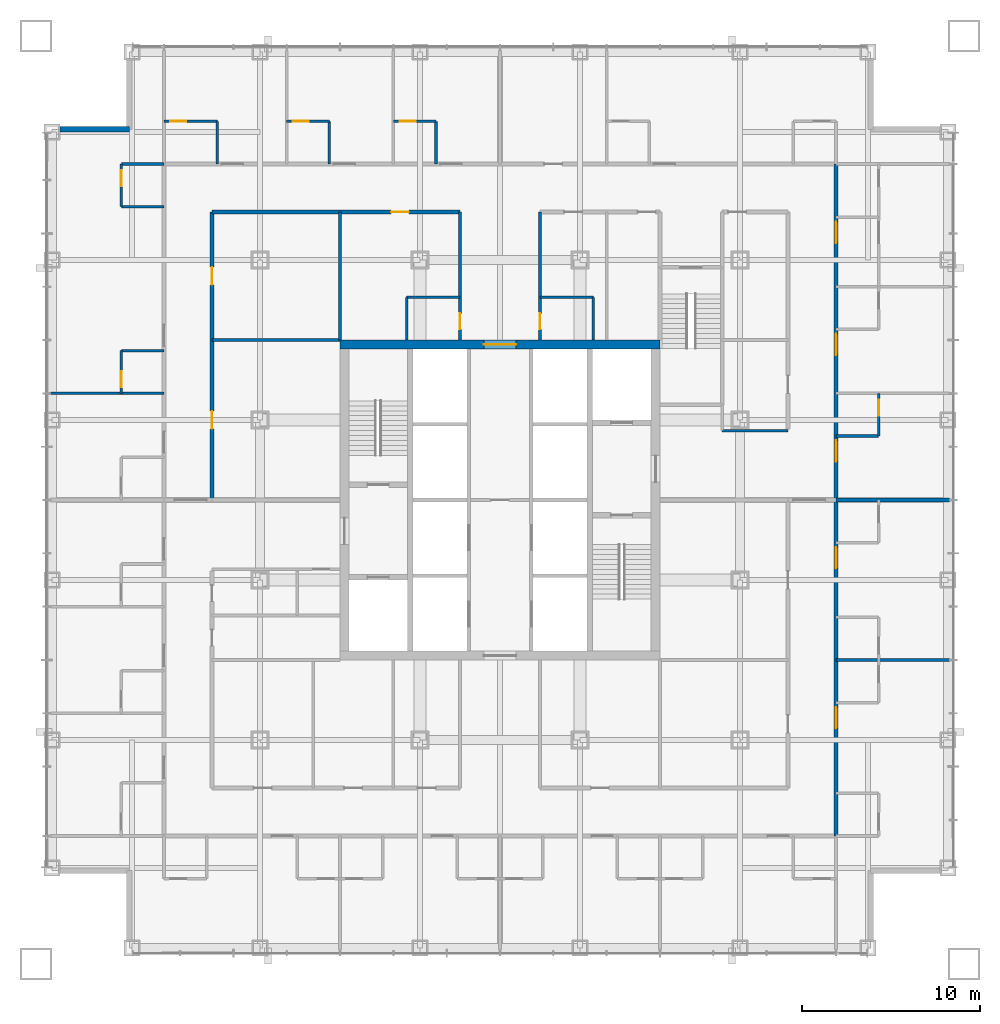
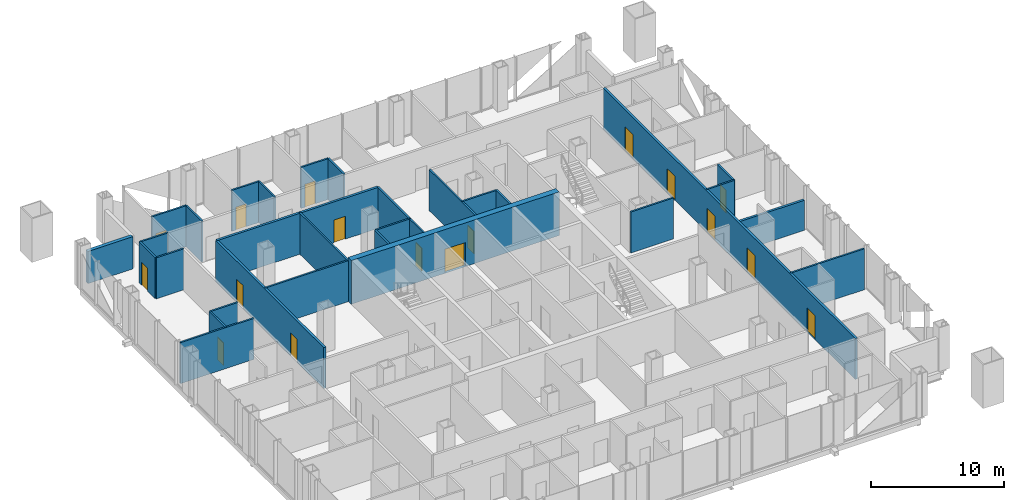
# One storey, part 10 of 17: 30 walls, 17 doors, 17 openings.
"""IFC4 building model written with IfcOpenShell, lengths in metres."""

from ifc_helpers import new_model, si_unit, direction, frame, frame_2d, origin, place, context, subcontext, project, spatial, rectangle, extrude, material, layer, layer_set, type_object, element, fill, save


model = new_model("IFC4")

# Units and contexts
model_context = context("Model", 3, precision=1e-05, world=origin(), true_north=direction((0.0, 1.0)))
body_context = subcontext(model_context, "Body", "Model", "MODEL_VIEW")
ifc_project = project(units=[si_unit("LENGTHUNIT", "METRE"), si_unit("AREAUNIT", "SQUARE_METRE"), si_unit("VOLUMEUNIT", "CUBIC_METRE"), si_unit("PLANEANGLEUNIT", "RADIAN"), si_unit("MASSUNIT", "GRAM", prefix="KILO")], contexts=[model_context])

# Site, building, storey
site_placement = place(None, origin())
site = spatial("IfcSite", under=ifc_project, at=site_placement, CompositionType="ELEMENT")
building_placement = place(site_placement, origin())
building = spatial("IfcBuilding", under=site, at=building_placement, Name="Malebo Sky Hospital", CompositionType="ELEMENT")
storey_placement = place(building_placement, frame((0.0, 0.0, 55.0)))
storey = spatial("IfcBuildingStorey", under=building, at=storey_placement, Name="L12", CompositionType="ELEMENT", Elevation=55.0)

# Wall, opening, door
ifc_material_1 = material(Name="Concrete C80/95", Category="concrete")
ifc_layer_1 = layer(ifc_material_1, 0.5)
ifc_layer_set_1 = layer_set([ifc_layer_1], Name="CORE WALL 500")
wall_type_1 = type_object("IfcWallType", Name="CORE WALL 500", PredefinedType="SHEAR", material=ifc_layer_set_1)
wall_1_placement = place(storey_placement, frame((51.0, 70.75, 0.0), z_axis=(0.0, 0.0, 1.0), x_axis=(1.0, 0.0, 0.0)))
wall_1 = element("IfcWall", 1, at=wall_1_placement, inside=storey, type_object=wall_type_1, Name="Core wall N L12", PredefinedType="SHEAR", context=body_context, shape_type="SweptSolid", body=[
    extrude(rectangle(XDim=18.0, YDim=0.5, at=frame_2d((9.0, 0.0))), origin(), (0.0, 0.0, 1.0), 4.0),
])
opening_1_placement = place(wall_1_placement, frame((8.10009765625, 0.0, 0.0)))
opening_1 = element("IfcOpeningElement", 2, at=opening_1_placement, cuts=wall_1, Name="Opening D06", PredefinedType="OPENING", context=body_context, shape_type="SweptSolid", body=[
    extrude(rectangle(XDim=1.800048828125, YDim=2.199951171875, at=frame_2d((0.89990234375, 1.10009765625))), frame((0.0, 0.260009765625, 0.0), z_axis=(0.0, -1.0, 0.0), x_axis=(1.0, 0.0, 0.0)), (0.0, 0.0, 1.0), 0.52001953125),
])
ifc_material_2 = material(Name="Hardwood-faced door leaf in steel frame", Category="steel")
door_type_1 = type_object("IfcDoorType", Name="LOBBY DOOR PAIR 1800", OperationType="DOUBLE_DOOR_SINGLE_SWING", PredefinedType="DOOR", material=ifc_material_2)
door_1_placement = place(opening_1_placement, origin())
door_1 = element("IfcDoor", 3, at=door_1_placement, inside=storey, type_object=door_type_1, Name="linen store door north", OperationType="DOUBLE_DOOR_SINGLE_SWING", OverallHeight=2.199951171875, OverallWidth=1.800048828125, PredefinedType="DOOR", context=body_context, shape_type="SweptSolid", body=[
    extrude(rectangle(XDim=1.800048828125, YDim=2.199951171875, at=frame_2d((0.89990234375, 1.10009765625))), frame((0.0, 0.02490234375, 0.0), z_axis=(0.0, -1.0, 0.0), x_axis=(1.0, 0.0, 0.0)), (0.0, 0.0, 1.0), 0.050048828125),
])
fill(opening_1, door_1)

ifc_material_3 = material(Name="Gypsum board on steel studs", Category="steel")
ifc_layer_2 = layer(ifc_material_3, 0.199951171875)
ifc_layer_set_2 = layer_set([ifc_layer_2], Name="CORRIDOR WALL 200")
wall_type_2 = type_object("IfcWallType", Name="CORRIDOR WALL 200", PredefinedType="PARTITIONING", material=ifc_layer_set_2)
wall_2_placement = place(storey_placement, frame((43.800048828125, 78.199951171875, 0.0), z_axis=(0.0, 0.0, 1.0), x_axis=(1.0, 0.0, 0.0)))
wall_2 = element("IfcWall", 4, at=wall_2_placement, inside=storey, type_object=wall_type_2, Name="Corridor Wall 200 NCI1", PredefinedType="PARTITIONING", context=body_context, shape_type="SweptSolid", body=[
    extrude(rectangle(XDim=13.949951171875, YDim=0.199951171875, at=frame_2d((6.97509765625, 0.0))), origin(), (0.0, 0.0, 1.0), 3.75),
])
opening_2_placement = place(wall_2_placement, frame((10.074951171875, 0.0, 0.0)))
opening_2 = element("IfcOpeningElement", 5, at=opening_2_placement, cuts=wall_2, Name="Opening D03", PredefinedType="OPENING", context=body_context, shape_type="SweptSolid", body=[
    extrude(rectangle(XDim=1.0, YDim=2.10009765625, at=frame_2d((0.5, 1.050048828125))), frame((0.0, 0.10986328125, 0.0), z_axis=(0.0, -1.0, 0.0), x_axis=(1.0, 0.0, 0.0)), (0.0, 0.0, 1.0), 0.219970703125),
])
door_type_2 = type_object("IfcDoorType", Name="ROOM DOOR 1000", OperationType="SINGLE_SWING_LEFT", PredefinedType="DOOR", material=ifc_material_2)
door_2_placement = place(opening_2_placement, origin())
door_2 = element("IfcDoor", 6, at=door_2_placement, inside=storey, type_object=door_type_2, Name="Consulting room door", OperationType="SINGLE_SWING_LEFT", OverallHeight=2.10009765625, OverallWidth=1.0, PredefinedType="DOOR", context=body_context, shape_type="SweptSolid", body=[
    extrude(rectangle(XDim=1.0, YDim=2.10009765625, at=frame_2d((0.5, 1.050048828125))), frame((0.0, 0.02490234375, 0.0), z_axis=(0.0, -1.0, 0.0), x_axis=(1.0, 0.0, 0.0)), (0.0, 0.0, 1.0), 0.050048828125),
])
fill(opening_2, door_2)

# Wall, openings, doors
wall_3_placement = place(storey_placement, frame((43.800048828125, 62.0, 0.0), z_axis=(0.0, 0.0, 1.0), x_axis=(0.0, 1.0, 0.0)))
wall_3 = element("IfcWall", 7, at=wall_3_placement, inside=storey, type_object=wall_type_2, Name="Corridor Wall 200 WCI2", PredefinedType="PARTITIONING", context=body_context, shape_type="SweptSolid", body=[
    extrude(rectangle(XDim=16.199951171875, YDim=0.199951171875, at=frame_2d((8.10009765625, 0.0))), origin(), (0.0, 0.0, 1.0), 3.75),
])
opening_3_placement = place(wall_3_placement, frame((4.0, 0.0, 0.0)))
opening_3 = element("IfcOpeningElement", 8, at=opening_3_placement, cuts=wall_3, Name="Opening D03", PredefinedType="OPENING", context=body_context, shape_type="SweptSolid", body=[
    extrude(rectangle(XDim=1.0, YDim=2.10009765625, at=frame_2d((0.5, 1.050048828125))), frame((0.0, 0.10986328125, 0.0), z_axis=(0.0, -1.0, 0.0), x_axis=(1.0, 0.0, 0.0)), (0.0, 0.0, 1.0), 0.219970703125),
])
opening_4_placement = place(wall_3_placement, frame((12.10009765625, 0.0, 0.0)))
opening_4 = element("IfcOpeningElement", 9, at=opening_4_placement, cuts=wall_3, Name="Opening D03", PredefinedType="OPENING", context=body_context, shape_type="SweptSolid", body=[
    extrude(rectangle(XDim=1.0, YDim=2.10009765625, at=frame_2d((0.5, 1.050048828125))), frame((0.0, 0.10986328125, 0.0), z_axis=(0.0, -1.0, 0.0), x_axis=(1.0, 0.0, 0.0)), (0.0, 0.0, 1.0), 0.219970703125),
])
door_3_placement = place(opening_3_placement, origin())
door_3 = element("IfcDoor", 10, at=door_3_placement, inside=storey, type_object=door_type_2, Name="Nurse station door", OperationType="SINGLE_SWING_LEFT", OverallHeight=2.10009765625, OverallWidth=1.0, PredefinedType="DOOR", context=body_context, shape_type="SweptSolid", body=[
    extrude(rectangle(XDim=1.0, YDim=2.10009765625, at=frame_2d((0.5, 1.050048828125))), frame((0.0, 0.02490234375, 0.0), z_axis=(0.0, -1.0, 0.0), x_axis=(1.0, 0.0, 0.0)), (0.0, 0.0, 1.0), 0.050048828125),
])
fill(opening_3, door_3)
door_4_placement = place(opening_4_placement, origin())
door_4 = element("IfcDoor", 11, at=door_4_placement, inside=storey, type_object=door_type_2, Name="Treatment room door", OperationType="SINGLE_SWING_RIGHT", OverallHeight=2.10009765625, OverallWidth=1.0, PredefinedType="DOOR", context=body_context, shape_type="SweptSolid", body=[
    extrude(rectangle(XDim=1.0, YDim=2.10009765625, at=frame_2d((0.5, 1.050048828125))), frame((0.0, 0.02490234375, 0.0), z_axis=(0.0, -1.0, 0.0), x_axis=(1.0, 0.0, 0.0)), (0.0, 0.0, 1.0), 0.050048828125),
])
fill(opening_4, door_4)

wall_4_placement = place(storey_placement, frame((78.89990234375, 80.89990234375, 0.0), z_axis=(0.0, 0.0, 1.0), x_axis=(0.0, -1.0, 0.0)))
wall_4 = element("IfcWall", 12, at=wall_4_placement, inside=storey, type_object=wall_type_2, Name="Corridor Wall 200 ECO", PredefinedType="PARTITIONING", context=body_context, shape_type="SweptSolid", body=[
    extrude(rectangle(XDim=37.7998046875, YDim=0.199951171875, at=frame_2d((18.89990234375, 0.0))), origin(), (0.0, 0.0, 1.0), 3.75),
])
opening_5_placement = place(wall_4_placement, frame((3.25, 0.0, 0.0)))
opening_5 = element("IfcOpeningElement", 13, at=opening_5_placement, cuts=wall_4, Name="Opening D18", PredefinedType="OPENING", context=body_context, shape_type="SweptSolid", body=[
    extrude(rectangle(XDim=1.199951171875, YDim=2.199951171875, at=frame_2d((0.60009765625, 1.10009765625))), frame((0.0, 0.10986328125, 0.0), z_axis=(0.0, -1.0, 0.0), x_axis=(1.0, 0.0, 0.0)), (0.0, 0.0, 1.0), 0.219970703125),
])
opening_6_placement = place(wall_4_placement, frame((9.550048828125, 0.0, 0.0)))
opening_6 = element("IfcOpeningElement", 14, at=opening_6_placement, cuts=wall_4, Name="Opening D01", PredefinedType="OPENING", context=body_context, shape_type="SweptSolid", body=[
    extrude(rectangle(XDim=1.199951171875, YDim=2.199951171875, at=frame_2d((0.60009765625, 1.10009765625))), frame((0.0, 0.10986328125, 0.0), z_axis=(0.0, -1.0, 0.0), x_axis=(1.0, 0.0, 0.0)), (0.0, 0.0, 1.0), 0.219970703125),
])
opening_7_placement = place(wall_4_placement, frame((15.550048828125, 0.0, 0.0)))
opening_7 = element("IfcOpeningElement", 15, at=opening_7_placement, cuts=wall_4, Name="Opening D01", PredefinedType="OPENING", context=body_context, shape_type="SweptSolid", body=[
    extrude(rectangle(XDim=1.199951171875, YDim=2.199951171875, at=frame_2d((0.60009765625, 1.10009765625))), frame((0.0, 0.10986328125, 0.0), z_axis=(0.0, -1.0, 0.0), x_axis=(1.0, 0.0, 0.0)), (0.0, 0.0, 1.0), 0.219970703125),
])
opening_8_placement = place(wall_4_placement, frame((21.550048828125, 0.0, 0.0)))
opening_8 = element("IfcOpeningElement", 16, at=opening_8_placement, cuts=wall_4, Name="Opening D01", PredefinedType="OPENING", context=body_context, shape_type="SweptSolid", body=[
    extrude(rectangle(XDim=1.199951171875, YDim=2.199951171875, at=frame_2d((0.60009765625, 1.10009765625))), frame((0.0, 0.10986328125, 0.0), z_axis=(0.0, -1.0, 0.0), x_axis=(1.0, 0.0, 0.0)), (0.0, 0.0, 1.0), 0.219970703125),
])
opening_9_placement = place(wall_4_placement, frame((30.550048828125, 0.0, 0.0)))
opening_9 = element("IfcOpeningElement", 17, at=opening_9_placement, cuts=wall_4, Name="Opening D01", PredefinedType="OPENING", context=body_context, shape_type="SweptSolid", body=[
    extrude(rectangle(XDim=1.199951171875, YDim=2.199951171875, at=frame_2d((0.60009765625, 1.10009765625))), frame((0.0, 0.10986328125, 0.0), z_axis=(0.0, -1.0, 0.0), x_axis=(1.0, 0.0, 0.0)), (0.0, 0.0, 1.0), 0.219970703125),
])
door_type_3 = type_object("IfcDoorType", Name="ANTEROOM DOOR 1200", OperationType="SINGLE_SWING_LEFT", PredefinedType="DOOR", material=ifc_material_2)
door_5_placement = place(opening_5_placement, origin())
door_5 = element("IfcDoor", 18, at=door_5_placement, inside=storey, type_object=door_type_3, Name="Anteroom door", OperationType="SINGLE_SWING_LEFT", OverallHeight=2.199951171875, OverallWidth=1.199951171875, PredefinedType="DOOR", context=body_context, shape_type="SweptSolid", body=[
    extrude(rectangle(XDim=1.199951171875, YDim=2.199951171875, at=frame_2d((0.60009765625, 1.10009765625))), frame((0.0, 0.02490234375, 0.0), z_axis=(0.0, -1.0, 0.0), x_axis=(1.0, 0.0, 0.0)), (0.0, 0.0, 1.0), 0.050048828125),
])
fill(opening_5, door_5)
door_type_4 = type_object("IfcDoorType", Name="BED DOOR 1200", OperationType="SINGLE_SWING_LEFT", PredefinedType="DOOR", material=ifc_material_2)
door_6_placement = place(opening_6_placement, origin())
door_6 = element("IfcDoor", 19, at=door_6_placement, inside=storey, type_object=door_type_4, Name="Two-bed room door", OperationType="SINGLE_SWING_LEFT", OverallHeight=2.199951171875, OverallWidth=1.199951171875, PredefinedType="DOOR", context=body_context, shape_type="SweptSolid", body=[
    extrude(rectangle(XDim=1.199951171875, YDim=2.199951171875, at=frame_2d((0.60009765625, 1.10009765625))), frame((0.0, 0.02490234375, 0.0), z_axis=(0.0, -1.0, 0.0), x_axis=(1.0, 0.0, 0.0)), (0.0, 0.0, 1.0), 0.050048828125),
])
fill(opening_6, door_6)
door_7_placement = place(opening_7_placement, origin())
door_7 = element("IfcDoor", 20, at=door_7_placement, inside=storey, type_object=door_type_4, Name="Two-bed room door", OperationType="SINGLE_SWING_LEFT", OverallHeight=2.199951171875, OverallWidth=1.199951171875, PredefinedType="DOOR", context=body_context, shape_type="SweptSolid", body=[
    extrude(rectangle(XDim=1.199951171875, YDim=2.199951171875, at=frame_2d((0.60009765625, 1.10009765625))), frame((0.0, 0.02490234375, 0.0), z_axis=(0.0, -1.0, 0.0), x_axis=(1.0, 0.0, 0.0)), (0.0, 0.0, 1.0), 0.050048828125),
])
fill(opening_7, door_7)
door_8_placement = place(opening_8_placement, origin())
door_8 = element("IfcDoor", 21, at=door_8_placement, inside=storey, type_object=door_type_4, Name="Four-bed bay door", OperationType="SINGLE_SWING_LEFT", OverallHeight=2.199951171875, OverallWidth=1.199951171875, PredefinedType="DOOR", context=body_context, shape_type="SweptSolid", body=[
    extrude(rectangle(XDim=1.199951171875, YDim=2.199951171875, at=frame_2d((0.60009765625, 1.10009765625))), frame((0.0, 0.02490234375, 0.0), z_axis=(0.0, -1.0, 0.0), x_axis=(1.0, 0.0, 0.0)), (0.0, 0.0, 1.0), 0.050048828125),
])
fill(opening_8, door_8)
door_9_placement = place(opening_9_placement, origin())
door_9 = element("IfcDoor", 22, at=door_9_placement, inside=storey, type_object=door_type_4, Name="Four-bed bay door", OperationType="SINGLE_SWING_LEFT", OverallHeight=2.199951171875, OverallWidth=1.199951171875, PredefinedType="DOOR", context=body_context, shape_type="SweptSolid", body=[
    extrude(rectangle(XDim=1.199951171875, YDim=2.199951171875, at=frame_2d((0.60009765625, 1.10009765625))), frame((0.0, 0.02490234375, 0.0), z_axis=(0.0, -1.0, 0.0), x_axis=(1.0, 0.0, 0.0)), (0.0, 0.0, 1.0), 0.050048828125),
])
fill(opening_9, door_9)

# Wall
ifc_material_4 = material(Name="Anodised aluminium rainscreen on steel framing", Category="steel")
ifc_layer_3 = layer(ifc_material_4, 0.300048828125)
ifc_layer_set_3 = layer_set([ifc_layer_3], Name="NOTCH RAINSCREEN WALL 300")
wall_type_3 = type_object("IfcWallType", Name="NOTCH RAINSCREEN WALL 300", PredefinedType="ELEMENTEDWALL", material=ifc_layer_set_3)
wall_5_placement = place(storey_placement, frame((35.25, 82.85009765625, 0.0), z_axis=(0.0, 0.0, 1.0), x_axis=(1.0, 0.0, 0.0)))
element("IfcWall", 23, at=wall_5_placement, inside=storey, type_object=wall_type_3, Name="Notch rainscreen wall W1 L12", PredefinedType="ELEMENTEDWALL", context=body_context, shape_type="SweptSolid", body=[
    extrude(rectangle(XDim=3.89990234375, YDim=0.300048828125, at=frame_2d((1.949951171875, 0.0))), origin(), (0.0, 0.0, 1.0), 2.949951171875),
])

# Wall, opening, door
ifc_layer_4 = layer(ifc_material_3, 0.14990234375)
ifc_layer_set_4 = layer_set([ifc_layer_4], Name="PARTITION 150")
wall_type_4 = type_object("IfcWallType", Name="PARTITION 150", PredefinedType="PARTITIONING", material=ifc_layer_set_4)
wall_6_placement = place(storey_placement, frame((41.10009765625, 83.300048828125, 0.0), z_axis=(0.0, 0.0, 1.0), x_axis=(1.0, 0.0, 0.0)))
wall_6 = element("IfcWall", 24, at=wall_6_placement, inside=storey, type_object=wall_type_4, Name="Partition 150 NE0F", PredefinedType="PARTITIONING", context=body_context, shape_type="SweptSolid", body=[
    extrude(rectangle(XDim=3.0, YDim=0.14990234375, at=frame_2d((1.5, 0.0))), origin(), (0.0, 0.0, 1.0), 3.75),
])
opening_10_placement = place(wall_6_placement, frame((0.35009765625, 0.0, 0.0)))
opening_10 = element("IfcOpeningElement", 25, at=opening_10_placement, cuts=wall_6, Name="Opening D02", PredefinedType="OPENING", context=body_context, shape_type="SweptSolid", body=[
    extrude(rectangle(XDim=0.89990234375, YDim=2.10009765625, at=frame_2d((0.449951171875, 1.050048828125))), frame((0.0, 0.0849609375, 0.0), z_axis=(0.0, -1.0, 0.0), x_axis=(1.0, 0.0, 0.0)), (0.0, 0.0, 1.0), 0.169921875),
])
door_type_5 = type_object("IfcDoorType", Name="EN-SUITE DOOR 900", OperationType="SINGLE_SWING_LEFT", PredefinedType="DOOR", material=ifc_material_2)
door_10_placement = place(opening_10_placement, origin())
door_10 = element("IfcDoor", 26, at=door_10_placement, inside=storey, type_object=door_type_5, Name="En-suite door", OperationType="SINGLE_SWING_LEFT", OverallHeight=2.10009765625, OverallWidth=0.89990234375, PredefinedType="DOOR", context=body_context, shape_type="SweptSolid", body=[
    extrude(rectangle(XDim=0.89990234375, YDim=2.10009765625, at=frame_2d((0.449951171875, 1.050048828125))), frame((0.0, 0.02490234375, 0.0), z_axis=(0.0, -1.0, 0.0), x_axis=(1.0, 0.0, 0.0)), (0.0, 0.0, 1.0), 0.050048828125),
])
fill(opening_10, door_10)

# Wall
wall_7_placement = place(storey_placement, frame((44.10009765625, 80.89990234375, 0.0), z_axis=(0.0, 0.0, 1.0), x_axis=(0.0, 1.0, 0.0)))
element("IfcWall", 27, at=wall_7_placement, inside=storey, type_object=wall_type_4, Name="Partition 150 NE0S", PredefinedType="PARTITIONING", context=body_context, shape_type="SweptSolid", body=[
    extrude(rectangle(XDim=2.400146484375, YDim=0.14990234375, at=frame_2d((1.2001953125, 0.0))), origin(), (0.0, 0.0, 1.0), 3.75),
])

# Wall, opening, door
wall_8_placement = place(storey_placement, frame((48.0, 83.300048828125, 0.0), z_axis=(0.0, 0.0, 1.0), x_axis=(1.0, 0.0, 0.0)))
wall_8 = element("IfcWall", 28, at=wall_8_placement, inside=storey, type_object=wall_type_4, Name="Partition 150 NE1F", PredefinedType="PARTITIONING", context=body_context, shape_type="SweptSolid", body=[
    extrude(rectangle(XDim=2.39990234375, YDim=0.14990234375, at=frame_2d((1.199951171875, 0.0))), origin(), (0.0, 0.0, 1.0), 3.75),
])
opening_11_placement = place(wall_8_placement, frame((0.35009765625, 0.0, 0.0)))
opening_11 = element("IfcOpeningElement", 29, at=opening_11_placement, cuts=wall_8, Name="Opening D02", PredefinedType="OPENING", context=body_context, shape_type="SweptSolid", body=[
    extrude(rectangle(XDim=0.89990234375, YDim=2.10009765625, at=frame_2d((0.449951171875, 1.050048828125))), frame((0.0, 0.0849609375, 0.0), z_axis=(0.0, -1.0, 0.0), x_axis=(1.0, 0.0, 0.0)), (0.0, 0.0, 1.0), 0.169921875),
])
door_11_placement = place(opening_11_placement, origin())
door_11 = element("IfcDoor", 30, at=door_11_placement, inside=storey, type_object=door_type_5, Name="En-suite door", OperationType="SINGLE_SWING_LEFT", OverallHeight=2.10009765625, OverallWidth=0.89990234375, PredefinedType="DOOR", context=body_context, shape_type="SweptSolid", body=[
    extrude(rectangle(XDim=0.89990234375, YDim=2.10009765625, at=frame_2d((0.449951171875, 1.050048828125))), frame((0.0, 0.02490234375, 0.0), z_axis=(0.0, -1.0, 0.0), x_axis=(1.0, 0.0, 0.0)), (0.0, 0.0, 1.0), 0.050048828125),
])
fill(opening_11, door_11)

# Wall
wall_9_placement = place(storey_placement, frame((50.39990234375, 80.89990234375, 0.0), z_axis=(0.0, 0.0, 1.0), x_axis=(0.0, 1.0, 0.0)))
element("IfcWall", 31, at=wall_9_placement, inside=storey, type_object=wall_type_4, Name="Partition 150 NE1S", PredefinedType="PARTITIONING", context=body_context, shape_type="SweptSolid", body=[
    extrude(rectangle(XDim=2.400146484375, YDim=0.14990234375, at=frame_2d((1.2001953125, 0.0))), origin(), (0.0, 0.0, 1.0), 3.75),
])

# Wall, opening, door
wall_10_placement = place(storey_placement, frame((54.0, 83.300048828125, 0.0), z_axis=(0.0, 0.0, 1.0), x_axis=(1.0, 0.0, 0.0)))
wall_10 = element("IfcWall", 32, at=wall_10_placement, inside=storey, type_object=wall_type_4, Name="Partition 150 NE2F", PredefinedType="PARTITIONING", context=body_context, shape_type="SweptSolid", body=[
    extrude(rectangle(XDim=2.39990234375, YDim=0.14990234375, at=frame_2d((1.199951171875, 0.0))), origin(), (0.0, 0.0, 1.0), 3.75),
])
opening_12_placement = place(wall_10_placement, frame((0.35009765625, 0.0, 0.0)))
opening_12 = element("IfcOpeningElement", 33, at=opening_12_placement, cuts=wall_10, Name="Opening D02", PredefinedType="OPENING", context=body_context, shape_type="SweptSolid", body=[
    extrude(rectangle(XDim=0.89990234375, YDim=2.10009765625, at=frame_2d((0.449951171875, 1.050048828125))), frame((0.0, 0.0849609375, 0.0), z_axis=(0.0, -1.0, 0.0), x_axis=(1.0, 0.0, 0.0)), (0.0, 0.0, 1.0), 0.169921875),
])
door_12_placement = place(opening_12_placement, origin())
door_12 = element("IfcDoor", 34, at=door_12_placement, inside=storey, type_object=door_type_5, Name="En-suite door", OperationType="SINGLE_SWING_LEFT", OverallHeight=2.10009765625, OverallWidth=0.89990234375, PredefinedType="DOOR", context=body_context, shape_type="SweptSolid", body=[
    extrude(rectangle(XDim=0.89990234375, YDim=2.10009765625, at=frame_2d((0.449951171875, 1.050048828125))), frame((0.0, 0.02490234375, 0.0), z_axis=(0.0, -1.0, 0.0), x_axis=(1.0, 0.0, 0.0)), (0.0, 0.0, 1.0), 0.050048828125),
])
fill(opening_12, door_12)

# Walls
wall_11_placement = place(storey_placement, frame((56.39990234375, 80.89990234375, 0.0), z_axis=(0.0, 0.0, 1.0), x_axis=(0.0, 1.0, 0.0)))
element("IfcWall", 35, at=wall_11_placement, inside=storey, type_object=wall_type_4, Name="Partition 150 NE2S", PredefinedType="PARTITIONING", context=body_context, shape_type="SweptSolid", body=[
    extrude(rectangle(XDim=2.400146484375, YDim=0.14990234375, at=frame_2d((1.2001953125, 0.0))), origin(), (0.0, 0.0, 1.0), 3.75),
])
wall_12_placement = place(storey_placement, frame((51.0, 71.0, 0.0), z_axis=(0.0, 0.0, 1.0), x_axis=(0.0, 1.0, 0.0)))
element("IfcWall", 36, at=wall_12_placement, inside=storey, type_object=wall_type_4, Name="Partition 150 NSP0", PredefinedType="PARTITIONING", context=body_context, shape_type="SweptSolid", body=[
    extrude(rectangle(XDim=7.199951171875, YDim=0.14990234375, at=frame_2d((3.60009765625, 0.0))), origin(), (0.0, 0.0, 1.0), 3.75),
])

# Wall, opening, door
wall_13_placement = place(storey_placement, frame((57.75, 71.0, 0.0), z_axis=(0.0, 0.0, 1.0), x_axis=(0.0, 1.0, 0.0)))
wall_13 = element("IfcWall", 37, at=wall_13_placement, inside=storey, type_object=wall_type_4, Name="Partition 150 NSPA", PredefinedType="PARTITIONING", context=body_context, shape_type="SweptSolid", body=[
    extrude(rectangle(XDim=7.199951171875, YDim=0.14990234375, at=frame_2d((3.60009765625, 0.0))), origin(), (0.0, 0.0, 1.0), 3.75),
])
opening_13_placement = place(wall_13_placement, frame((0.60009765625, 0.0, 0.0)))
opening_13 = element("IfcOpeningElement", 38, at=opening_13_placement, cuts=wall_13, Name="Opening D04", PredefinedType="OPENING", context=body_context, shape_type="SweptSolid", body=[
    extrude(rectangle(XDim=0.89990234375, YDim=2.10009765625, at=frame_2d((0.449951171875, 1.050048828125))), frame((0.0, 0.0849609375, 0.0), z_axis=(0.0, -1.0, 0.0), x_axis=(1.0, 0.0, 0.0)), (0.0, 0.0, 1.0), 0.169921875),
])
door_type_6 = type_object("IfcDoorType", Name="ROOM DOOR 900", OperationType="SINGLE_SWING_LEFT", PredefinedType="DOOR", material=ifc_material_2)
door_13_placement = place(opening_13_placement, origin())
door_13 = element("IfcDoor", 39, at=door_13_placement, inside=storey, type_object=door_type_6, Name="Staff WC door", OperationType="SINGLE_SWING_LEFT", OverallHeight=2.10009765625, OverallWidth=0.89990234375, PredefinedType="DOOR", context=body_context, shape_type="SweptSolid", body=[
    extrude(rectangle(XDim=0.89990234375, YDim=2.10009765625, at=frame_2d((0.449951171875, 1.050048828125))), frame((0.0, 0.02490234375, 0.0), z_axis=(0.0, -1.0, 0.0), x_axis=(1.0, 0.0, 0.0)), (0.0, 0.0, 1.0), 0.050048828125),
])
fill(opening_13, door_13)

wall_14_placement = place(storey_placement, frame((62.25, 71.0, 0.0), z_axis=(0.0, 0.0, 1.0), x_axis=(0.0, 1.0, 0.0)))
wall_14 = element("IfcWall", 40, at=wall_14_placement, inside=storey, type_object=wall_type_4, Name="Partition 150 NSPB", PredefinedType="PARTITIONING", context=body_context, shape_type="SweptSolid", body=[
    extrude(rectangle(XDim=7.199951171875, YDim=0.14990234375, at=frame_2d((3.60009765625, 0.0))), origin(), (0.0, 0.0, 1.0), 3.75),
])
opening_14_placement = place(wall_14_placement, frame((0.60009765625, 0.0, 0.0)))
opening_14 = element("IfcOpeningElement", 41, at=opening_14_placement, cuts=wall_14, Name="Opening D04", PredefinedType="OPENING", context=body_context, shape_type="SweptSolid", body=[
    extrude(rectangle(XDim=0.89990234375, YDim=2.10009765625, at=frame_2d((0.449951171875, 1.050048828125))), frame((0.0, 0.0849609375, 0.0), z_axis=(0.0, -1.0, 0.0), x_axis=(1.0, 0.0, 0.0)), (0.0, 0.0, 1.0), 0.169921875),
])
door_14_placement = place(opening_14_placement, origin())
door_14 = element("IfcDoor", 42, at=door_14_placement, inside=storey, type_object=door_type_6, Name="Accessible WC door", OperationType="SINGLE_SWING_LEFT", OverallHeight=2.10009765625, OverallWidth=0.89990234375, PredefinedType="DOOR", context=body_context, shape_type="SweptSolid", body=[
    extrude(rectangle(XDim=0.89990234375, YDim=2.10009765625, at=frame_2d((0.449951171875, 1.050048828125))), frame((0.0, 0.02490234375, 0.0), z_axis=(0.0, -1.0, 0.0), x_axis=(1.0, 0.0, 0.0)), (0.0, 0.0, 1.0), 0.050048828125),
])
fill(opening_14, door_14)

# Walls
wall_15_placement = place(storey_placement, frame((54.75, 73.39990234375, 0.0), z_axis=(0.0, 0.0, 1.0), x_axis=(1.0, 0.0, 0.0)))
element("IfcWall", 43, at=wall_15_placement, inside=storey, type_object=wall_type_4, Name="Partition 150 NSX0", PredefinedType="PARTITIONING", context=body_context, shape_type="SweptSolid", body=[
    extrude(rectangle(XDim=3.0, YDim=0.14990234375, at=frame_2d((1.5, 0.0))), origin(), (0.0, 0.0, 1.0), 3.75),
])
wall_16_placement = place(storey_placement, frame((54.75, 71.0, 0.0), z_axis=(0.0, 0.0, 1.0), x_axis=(0.0, 1.0, 0.0)))
element("IfcWall", 44, at=wall_16_placement, inside=storey, type_object=wall_type_4, Name="Partition 150 NSY0", PredefinedType="PARTITIONING", context=body_context, shape_type="SweptSolid", body=[
    extrude(rectangle(XDim=2.39990234375, YDim=0.14990234375, at=frame_2d((1.199951171875, 0.0))), origin(), (0.0, 0.0, 1.0), 3.75),
])
wall_17_placement = place(storey_placement, frame((62.25, 73.39990234375, 0.0), z_axis=(0.0, 0.0, 1.0), x_axis=(1.0, 0.0, 0.0)))
element("IfcWall", 45, at=wall_17_placement, inside=storey, type_object=wall_type_4, Name="Partition 150 NSX1", PredefinedType="PARTITIONING", context=body_context, shape_type="SweptSolid", body=[
    extrude(rectangle(XDim=3.0, YDim=0.14990234375, at=frame_2d((1.5, 0.0))), origin(), (0.0, 0.0, 1.0), 3.75),
])
wall_18_placement = place(storey_placement, frame((65.25, 71.0, 0.0), z_axis=(0.0, 0.0, 1.0), x_axis=(0.0, 1.0, 0.0)))
element("IfcWall", 46, at=wall_18_placement, inside=storey, type_object=wall_type_4, Name="Partition 150 NSY1", PredefinedType="PARTITIONING", context=body_context, shape_type="SweptSolid", body=[
    extrude(rectangle(XDim=2.39990234375, YDim=0.14990234375, at=frame_2d((1.199951171875, 0.0))), origin(), (0.0, 0.0, 1.0), 3.75),
])
wall_19_placement = place(storey_placement, frame((41.10009765625, 68.0, 0.0), z_axis=(0.0, 0.0, 1.0), x_axis=(-1.0, 0.0, 0.0)))
element("IfcWall", 47, at=wall_19_placement, inside=storey, type_object=wall_type_4, Name="Partition 150 WP+6.0", PredefinedType="PARTITIONING", context=body_context, shape_type="SweptSolid", body=[
    extrude(rectangle(XDim=6.375, YDim=0.14990234375, at=frame_2d((3.1875, 0.0))), origin(), (0.0, 0.0, 1.0), 3.75),
])

# Wall, opening, door
wall_20_placement = place(storey_placement, frame((38.699951171875, 68.0, 0.0), z_axis=(0.0, 0.0, 1.0), x_axis=(0.0, 1.0, 0.0)))
wall_20 = element("IfcWall", 48, at=wall_20_placement, inside=storey, type_object=wall_type_4, Name="Partition 150 WE4F", PredefinedType="PARTITIONING", context=body_context, shape_type="SweptSolid", body=[
    extrude(rectangle(XDim=2.39990234375, YDim=0.14990234375, at=frame_2d((1.199951171875, 0.0))), origin(), (0.0, 0.0, 1.0), 3.75),
])
opening_15_placement = place(wall_20_placement, frame((0.35009765625, 0.0, 0.0)))
opening_15 = element("IfcOpeningElement", 49, at=opening_15_placement, cuts=wall_20, Name="Opening D02", PredefinedType="OPENING", context=body_context, shape_type="SweptSolid", body=[
    extrude(rectangle(XDim=0.89990234375, YDim=2.10009765625, at=frame_2d((0.449951171875, 1.050048828125))), frame((0.0, 0.0849609375, 0.0), z_axis=(0.0, -1.0, 0.0), x_axis=(1.0, 0.0, 0.0)), (0.0, 0.0, 1.0), 0.169921875),
])
door_15_placement = place(opening_15_placement, origin())
door_15 = element("IfcDoor", 50, at=door_15_placement, inside=storey, type_object=door_type_5, Name="En-suite door", OperationType="SINGLE_SWING_LEFT", OverallHeight=2.10009765625, OverallWidth=0.89990234375, PredefinedType="DOOR", context=body_context, shape_type="SweptSolid", body=[
    extrude(rectangle(XDim=0.89990234375, YDim=2.10009765625, at=frame_2d((0.449951171875, 1.050048828125))), frame((0.0, 0.02490234375, 0.0), z_axis=(0.0, -1.0, 0.0), x_axis=(1.0, 0.0, 0.0)), (0.0, 0.0, 1.0), 0.050048828125),
])
fill(opening_15, door_15)

# Wall
wall_21_placement = place(storey_placement, frame((41.10009765625, 70.39990234375, 0.0), z_axis=(0.0, 0.0, 1.0), x_axis=(-1.0, 0.0, 0.0)))
element("IfcWall", 51, at=wall_21_placement, inside=storey, type_object=wall_type_4, Name="Partition 150 WE4S", PredefinedType="PARTITIONING", context=body_context, shape_type="SweptSolid", body=[
    extrude(rectangle(XDim=2.400146484375, YDim=0.14990234375, at=frame_2d((1.2001953125, 0.0))), origin(), (0.0, 0.0, 1.0), 3.75),
])

# Wall, opening, door
wall_22_placement = place(storey_placement, frame((38.699951171875, 78.5, 0.0), z_axis=(0.0, 0.0, 1.0), x_axis=(0.0, 1.0, 0.0)))
wall_22 = element("IfcWall", 52, at=wall_22_placement, inside=storey, type_object=wall_type_4, Name="Partition 150 WG4F", PredefinedType="PARTITIONING", context=body_context, shape_type="SweptSolid", body=[
    extrude(rectangle(XDim=2.39990234375, YDim=0.14990234375, at=frame_2d((1.199951171875, 0.0))), origin(), (0.0, 0.0, 1.0), 3.75),
])
opening_16_placement = place(wall_22_placement, frame((1.14990234375, 0.0, 0.0)))
opening_16 = element("IfcOpeningElement", 53, at=opening_16_placement, cuts=wall_22, Name="Opening D02", PredefinedType="OPENING", context=body_context, shape_type="SweptSolid", body=[
    extrude(rectangle(XDim=0.89990234375, YDim=2.10009765625, at=frame_2d((0.449951171875, 1.050048828125))), frame((0.0, 0.0849609375, 0.0), z_axis=(0.0, -1.0, 0.0), x_axis=(1.0, 0.0, 0.0)), (0.0, 0.0, 1.0), 0.169921875),
])
door_16_placement = place(opening_16_placement, origin())
door_16 = element("IfcDoor", 54, at=door_16_placement, inside=storey, type_object=door_type_5, Name="En-suite door", OperationType="SINGLE_SWING_RIGHT", OverallHeight=2.10009765625, OverallWidth=0.89990234375, PredefinedType="DOOR", context=body_context, shape_type="SweptSolid", body=[
    extrude(rectangle(XDim=0.89990234375, YDim=2.10009765625, at=frame_2d((0.449951171875, 1.050048828125))), frame((0.0, 0.02490234375, 0.0), z_axis=(0.0, -1.0, 0.0), x_axis=(1.0, 0.0, 0.0)), (0.0, 0.0, 1.0), 0.050048828125),
])
fill(opening_16, door_16)

# Walls
for number, where, z_axis, x_axis, name in (
    (55, (41.10009765625, 78.5, 0.0), (0.0, 0.0, 1.0), (-1.0, 0.0, 0.0), "Partition 150 WG4S"),
    (56, (41.10009765625, 80.89990234375, 0.0), (0.0, 0.0, 1.0), (-1.0, 0.0, 0.0), "Partition 150 WEZ"),
):
    element("IfcWall", number, at=place(storey_placement, frame(where, z_axis=z_axis, x_axis=x_axis)), inside=storey, type_object=wall_type_4, Name=name, PredefinedType="PARTITIONING", context=body_context, shape_type="SweptSolid", body=[
        extrude(rectangle(XDim=2.400146484375, YDim=0.14990234375, at=frame_2d((1.2001953125, 0.0))), origin(), (0.0, 0.0, 1.0), 3.75),
    ])
wall_23_placement = place(storey_placement, frame((51.0, 71.0, 0.0), z_axis=(0.0, 0.0, 1.0), x_axis=(-1.0, 0.0, 0.0)))
element("IfcWall", 57, at=wall_23_placement, inside=storey, type_object=wall_type_4, Name="Partition 150 WSP+9.0", PredefinedType="PARTITIONING", context=body_context, shape_type="SweptSolid", body=[
    extrude(rectangle(XDim=7.199951171875, YDim=0.14990234375, at=frame_2d((3.60009765625, 0.0))), origin(), (0.0, 0.0, 1.0), 3.75),
])
wall_24_placement = place(storey_placement, frame((78.89990234375, 53.0, 0.0), z_axis=(0.0, 0.0, 1.0), x_axis=(1.0, 0.0, 0.0)))
element("IfcWall", 58, at=wall_24_placement, inside=storey, type_object=wall_type_4, Name="Partition 150 EP+9.0", PredefinedType="PARTITIONING", context=body_context, shape_type="SweptSolid", body=[
    extrude(rectangle(XDim=6.375, YDim=0.14990234375, at=frame_2d((3.1875, 0.0))), origin(), (0.0, 0.0, 1.0), 3.75),
])

# Wall, opening, door
wall_25_placement = place(storey_placement, frame((81.300048828125, 68.0, 0.0), z_axis=(0.0, 0.0, 1.0), x_axis=(0.0, -1.0, 0.0)))
wall_25 = element("IfcWall", 59, at=wall_25_placement, inside=storey, type_object=wall_type_4, Name="Partition 150 EE2F", PredefinedType="PARTITIONING", context=body_context, shape_type="SweptSolid", body=[
    extrude(rectangle(XDim=2.39990234375, YDim=0.14990234375, at=frame_2d((1.199951171875, 0.0))), origin(), (0.0, 0.0, 1.0), 3.75),
])
opening_17_placement = place(wall_25_placement, frame((0.35009765625, 0.0, 0.0)))
opening_17 = element("IfcOpeningElement", 60, at=opening_17_placement, cuts=wall_25, Name="Opening D02", PredefinedType="OPENING", context=body_context, shape_type="SweptSolid", body=[
    extrude(rectangle(XDim=0.89990234375, YDim=2.10009765625, at=frame_2d((0.449951171875, 1.050048828125))), frame((0.0, 0.0849609375, 0.0), z_axis=(0.0, -1.0, 0.0), x_axis=(1.0, 0.0, 0.0)), (0.0, 0.0, 1.0), 0.169921875),
])
door_17_placement = place(opening_17_placement, origin())
door_17 = element("IfcDoor", 61, at=door_17_placement, inside=storey, type_object=door_type_5, Name="En-suite door", OperationType="SINGLE_SWING_LEFT", OverallHeight=2.10009765625, OverallWidth=0.89990234375, PredefinedType="DOOR", context=body_context, shape_type="SweptSolid", body=[
    extrude(rectangle(XDim=0.89990234375, YDim=2.10009765625, at=frame_2d((0.449951171875, 1.050048828125))), frame((0.0, 0.02490234375, 0.0), z_axis=(0.0, -1.0, 0.0), x_axis=(1.0, 0.0, 0.0)), (0.0, 0.0, 1.0), 0.050048828125),
])
fill(opening_17, door_17)

# Walls
wall_26_placement = place(storey_placement, frame((78.89990234375, 65.60009765625, 0.0), z_axis=(0.0, 0.0, 1.0), x_axis=(1.0, 0.0, 0.0)))
element("IfcWall", 62, at=wall_26_placement, inside=storey, type_object=wall_type_4, Name="Partition 150 EE2S", PredefinedType="PARTITIONING", context=body_context, shape_type="SweptSolid", body=[
    extrude(rectangle(XDim=2.400146484375, YDim=0.14990234375, at=frame_2d((1.2001953125, 0.0))), origin(), (0.0, 0.0, 1.0), 3.75),
])
wall_27_placement = place(storey_placement, frame((72.5, 65.89990234375, 0.0), z_axis=(0.0, 0.0, 1.0), x_axis=(1.0, 0.0, 0.0)))
element("IfcWall", 63, at=wall_27_placement, inside=storey, type_object=wall_type_4, Name="Partition 150 ESPA", PredefinedType="PARTITIONING", context=body_context, shape_type="SweptSolid", body=[
    extrude(rectangle(XDim=3.699951171875, YDim=0.14990234375, at=frame_2d((1.85009765625, 0.0))), origin(), (0.0, 0.0, 1.0), 3.75),
])
ifc_material_5 = material(Name="Concrete blockwork", Category="masonry")
ifc_layer_5 = layer(ifc_material_5, 0.199951171875)
ifc_layer_set_5 = layer_set([ifc_layer_5], Name="SMOKE BARRIER WALL 200")
wall_type_5 = type_object("IfcWallType", Name="SMOKE BARRIER WALL 200", PredefinedType="SOLIDWALL", material=ifc_layer_set_5)
wall_28_placement = place(storey_placement, frame((78.89990234375, 62.0, 0.0), z_axis=(0.0, 0.0, 1.0), x_axis=(1.0, 0.0, 0.0)))
element("IfcWall", 64, at=wall_28_placement, inside=storey, type_object=wall_type_5, Name="Smoke Barrier Wall 200 EP+0.0", PredefinedType="SOLIDWALL", context=body_context, shape_type="SweptSolid", body=[
    extrude(rectangle(XDim=6.375, YDim=0.199951171875, at=frame_2d((3.1875, 0.0))), origin(), (0.0, 0.0, 1.0), 2.75),
])

save(model, "model.ifc")
